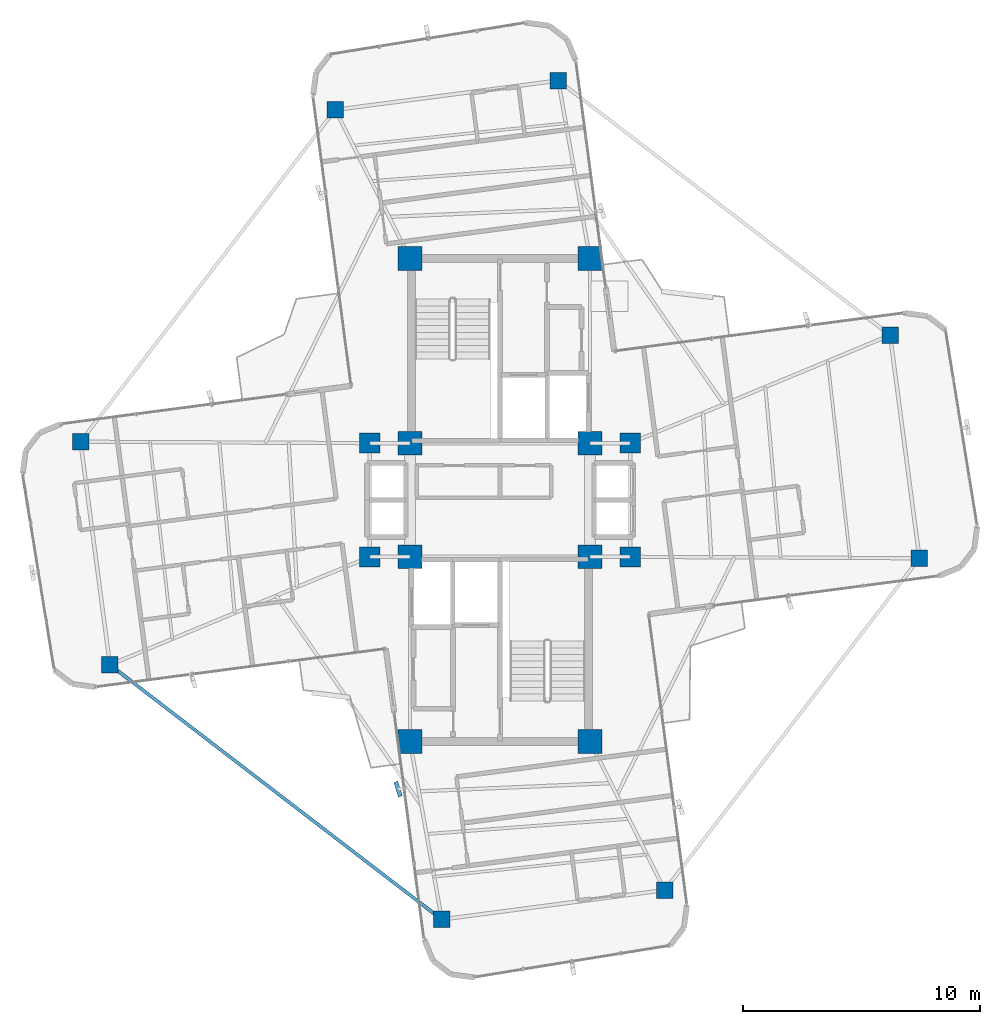
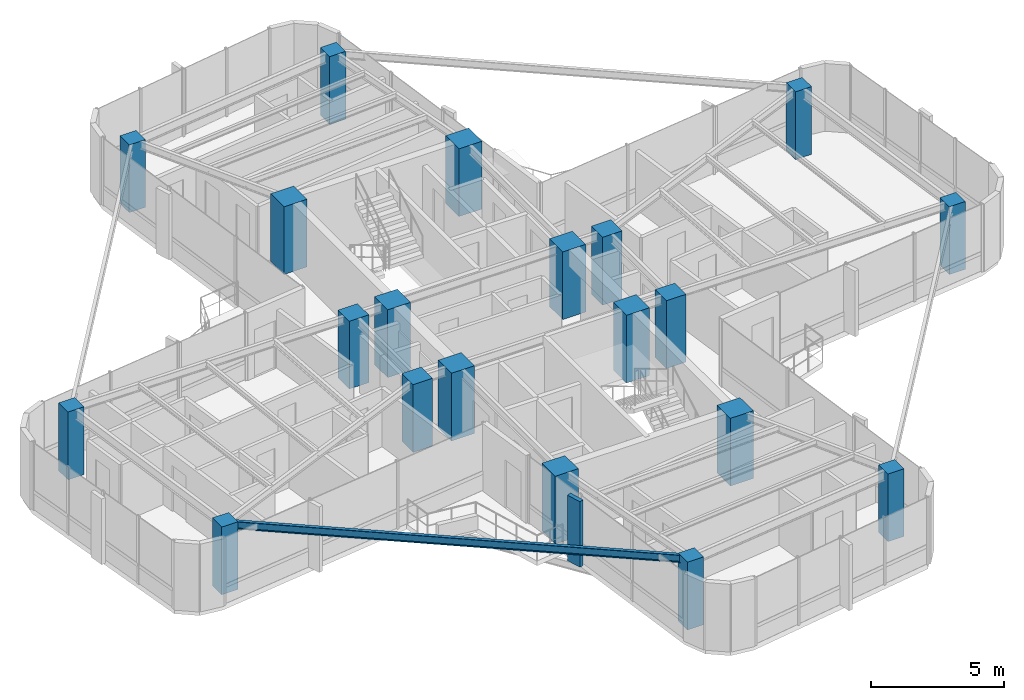
# One storey, part 1 of 22: 20 columns, 1 beam, 1 member, 1 element without a shape of its own.
"""IFC4 building model written with IfcOpenShell, lengths in metres."""

from ifc_helpers import new_model, si_unit, direction, frame, origin, origin_2d, place, context, subcontext, project, spatial, rectangle, i_section, extrude, source, transform, mapped, material, material_profile, profile_set, type_object, element, aggregate, save


model = new_model("IFC4")

# Units and contexts
model_context = context("Model", 3, precision=1e-05, world=origin(), true_north=direction((0.0, 1.0)))
body_context = subcontext(model_context, "Body", "Model", "MODEL_VIEW")
ifc_project = project(units=[si_unit("LENGTHUNIT", "METRE"), si_unit("AREAUNIT", "SQUARE_METRE"), si_unit("VOLUMEUNIT", "CUBIC_METRE"), si_unit("PLANEANGLEUNIT", "RADIAN"), si_unit("MASSUNIT", "GRAM", prefix="KILO")], contexts=[model_context])

# Site, building, storey
site_placement = place(None, origin())
site = spatial("IfcSite", under=ifc_project, at=site_placement, CompositionType="ELEMENT")
building_placement = place(site_placement, origin())
building = spatial("IfcBuilding", under=site, at=building_placement, Name="Sahyath Konkavel Grand Hotel", CompositionType="ELEMENT")
storey_placement = place(building_placement, frame((0.0, 0.0, 257.89990234375)))
storey = spatial("IfcBuildingStorey", under=building, at=storey_placement, Name="L72", CompositionType="ELEMENT", Elevation=257.89990234375)

# Columns
ifc_material_1 = material(Name="Concrete C50/60", Category="concrete")
ifc_material_profile_1 = material_profile(ifc_material_1, rectangle(XDim=1.0, YDim=1.0, at=origin_2d()), Name="RC 1000x1000")
ifc_profile_set_1 = profile_set([ifc_material_profile_1], Name="Concrete C50/60")
column_type_1 = type_object("IfcColumnType", Name="COL-RC1000", PredefinedType="COLUMN", material=ifc_profile_set_1)
shared_shape_1 = source(origin(), body_context, "Body", "SweptSolid", [
    extrude(rectangle(XDim=1.0, YDim=1.0, at=origin_2d()), origin(), (0.0, 0.0, 1.0), 3.110107421875),
])
for number, where, z_axis, x_axis, name in (
    (1, (-3.800048828125, 2.39990234375, 0.0), (0.0, 0.0, 1.0), (1.0, 0.0, 0.0), "L72 Core Boundary Column NC-SW"),
    (2, (3.800048828125, 2.39990234375, 0.0), (0.0, 0.0, 1.0), (1.0, 0.0, 0.0), "L72 Core Boundary Column NC-SE"),
    (3, (-3.800048828125, 10.199951171875, 0.0), (0.0, 0.0, 1.0), (1.0, 0.0, 0.0), "L72 Core Boundary Column NC-NW"),
    (4, (3.800048828125, 10.199951171875, 0.0), (0.0, 0.0, 1.0), (1.0, 0.0, 0.0), "L72 Core Boundary Column NC-NE"),
    (5, (-3.800048828125, -2.39990234375, 0.0), (0.0, 0.0, 1.0), (1.0, 0.0, 0.0), "L72 Core Boundary Column SC-NW"),
    (6, (3.800048828125, -2.39990234375, 0.0), (0.0, 0.0, 1.0), (1.0, 0.0, 0.0), "L72 Core Boundary Column SC-NE"),
    (7, (-3.800048828125, -10.199951171875, 0.0), (0.0, 0.0, 1.0), (1.0, 0.0, 0.0), "L72 Core Boundary Column SC-SW"),
    (8, (3.800048828125, -10.199951171875, 0.0), (0.0, 0.0, 1.0), (1.0, 0.0, 0.0), "L72 Core Boundary Column SC-SE"),
):
    element("IfcColumn", number, at=place(storey_placement, frame(where, z_axis=z_axis, x_axis=x_axis)), inside=storey, type_object=column_type_1, Name=name, PredefinedType="COLUMN", context=body_context, shape_type="MappedRepresentation", body=[
        mapped(shared_shape_1, transform((0.0, 0.0, 0.0), scale=1.0)),
    ])
ifc_material_2 = material(Name="Concrete C40/50", Category="concrete")
ifc_material_profile_2 = material_profile(ifc_material_2, rectangle(XDim=0.85009765625, YDim=0.85009765625, at=origin_2d()), Name="RC 850x850")
ifc_profile_set_2 = profile_set([ifc_material_profile_2], Name="Concrete C40/50")
column_type_2 = type_object("IfcColumnType", Name="COL-RC850", PredefinedType="COLUMN", material=ifc_profile_set_2)
shared_shape_2 = source(origin(), body_context, "Body", "SweptSolid", [
    extrude(rectangle(XDim=0.85009765625, YDim=0.85009765625, at=origin_2d()), origin(), (0.0, 0.0, 1.0), 3.110107421875),
])
for number, where, z_axis, x_axis, name in (
    (9, (5.5, 2.39990234375, 0.0), (0.0, 0.0, 1.0), (1.0, 0.0, 0.0), "L72 Central Spine Column HB-NE"),
    (10, (-5.5, 2.39990234375, 0.0), (0.0, 0.0, 1.0), (1.0, 0.0, 0.0), "L72 Central Spine Column HB-NW"),
    (11, (5.5, -2.39990234375, 0.0), (0.0, 0.0, 1.0), (1.0, 0.0, 0.0), "L72 Central Spine Column HB-SE"),
    (12, (-5.5, -2.39990234375, 0.0), (0.0, 0.0, 1.0), (1.0, 0.0, 0.0), "L72 Central Spine Column HB-SW"),
):
    element("IfcColumn", number, at=place(storey_placement, frame(where, z_axis=z_axis, x_axis=x_axis)), inside=storey, type_object=column_type_2, Name=name, PredefinedType="COLUMN", context=body_context, shape_type="MappedRepresentation", body=[
        mapped(shared_shape_2, transform((0.0, 0.0, 0.0), scale=1.0)),
    ])
ifc_material_profile_3 = material_profile(ifc_material_2, rectangle(XDim=0.699951171875, YDim=0.699951171875, at=origin_2d()), Name="RC 700x700")
ifc_profile_set_3 = profile_set([ifc_material_profile_3], Name="Concrete C40/50")
column_type_3 = type_object("IfcColumnType", Name="COL-RC700", PredefinedType="COLUMN", material=ifc_profile_set_3)
shared_shape_3 = source(origin(), body_context, "Body", "SweptSolid", [
    extrude(rectangle(XDim=0.699951171875, YDim=0.699951171875, at=origin_2d()), origin(), (0.0, 0.0, 1.0), 3.110107421875),
])
for number, where, z_axis, x_axis, name in (
    (13, (17.71240234375, -2.458984375, 0.0), (0.0, 0.0, 1.0), (1.0, 0.0, 0.0), "L72 Cruciform Wing Column WC-EA"),
    (14, (16.472412109375, 6.959716796875, 0.0), (0.0, 0.0, 1.0), (1.0, 0.0, 0.0), "L72 Cruciform Wing Column WC-EB"),
    (15, (2.458984375, 17.71240234375, 0.0), (0.0, 0.0, 1.0), (1.0, 0.0, 0.0), "L72 Cruciform Wing Column WC-NA"),
    (16, (-6.959716796875, 16.472412109375, 0.0), (0.0, 0.0, 1.0), (1.0, 0.0, 0.0), "L72 Cruciform Wing Column WC-NB"),
    (17, (-17.71240234375, 2.458984375, 0.0), (0.0, 0.0, 1.0), (1.0, 0.0, 0.0), "L72 Cruciform Wing Column WC-WA"),
    (18, (-16.472412109375, -6.959716796875, 0.0), (0.0, 0.0, 1.0), (1.0, 0.0, 0.0), "L72 Cruciform Wing Column WC-WB"),
    (19, (-2.458984375, -17.71240234375, 0.0), (0.0, 0.0, 1.0), (1.0, 0.0, 0.0), "L72 Cruciform Wing Column WC-SA"),
    (20, (6.959716796875, -16.472412109375, 0.0), (0.0, 0.0, 1.0), (1.0, 0.0, 0.0), "L72 Cruciform Wing Column WC-SB"),
):
    element("IfcColumn", number, at=place(storey_placement, frame(where, z_axis=z_axis, x_axis=x_axis)), inside=storey, type_object=column_type_3, Name=name, PredefinedType="COLUMN", context=body_context, shape_type="MappedRepresentation", body=[
        mapped(shared_shape_3, transform((0.0, 0.0, 0.0), scale=1.0)),
    ])

# Beam
ifc_material_3 = material(Name="Steel E350", Category="steel")
ifc_material_profile_4 = material_profile(ifc_material_3, i_section(OverallWidth=0.139892578125, OverallDepth=0.35009765625, WebThickness=0.008056640625, FlangeThickness=0.01416015625, FilletRadius=0.013916015625, at=origin_2d()), Name="ISMB 350")
ifc_profile_set_4 = profile_set([ifc_material_profile_4], Name="Steel E350")
beam_type = type_object("IfcBeamType", Name="BM-ISMB350", PredefinedType="BEAM", material=ifc_profile_set_4)
shared_shape_4 = source(origin(), body_context, "Body", "SweptSolid", [
    extrude(i_section(OverallWidth=0.139892578125, OverallDepth=0.35009765625, WebThickness=0.008056640625, FlangeThickness=0.01416015625, FilletRadius=0.013916015625, at=origin_2d()), origin(), (0.0, 0.0, 1.0), 17.663330078125),
])
beam_placement = place(storey_placement, frame((-16.472412109375, -6.959716796875, 2.93505859375), z_axis=(0.793358692504, -0.608754453805, 0.0), x_axis=(0.608754453805, 0.793358692504, 0.0)))
element("IfcBeam", 21, at=beam_placement, inside=storey, type_object=beam_type, Name="L72 Re-Entrant Tie Beam SW", PredefinedType="BEAM", context=body_context, shape_type="MappedRepresentation", body=[
    mapped(shared_shape_4, transform((0.0, 0.0, 0.0), scale=1.0)),
])

# Curtain wall, member
ifc_material_4 = material(Name="Anodised Bronze Aluminium & Low-E Glazing", Category="aluminium")
curtain_wall_type = type_object("IfcCurtainWallType", Name="CW-ZONE4", PredefinedType="NOTDEFINED", material=ifc_material_4)
curtain_wall_placement = place(storey_placement, origin())
curtain_wall = element("IfcCurtainWall", 22, at=curtain_wall_placement, inside=storey, type_object=curtain_wall_type, Name="L72 Unitised Curtain Wall F24", PredefinedType="NOTDEFINED")
ifc_material_5 = material(Name="Warm Buff Sandstone Cladding on Concrete C50/60", Category="masonry")
ifc_material_profile_5 = material_profile(ifc_material_5, rectangle(XDim=0.179931640625, YDim=0.64990234375, at=origin_2d()), Name="FIN 180x650")
ifc_profile_set_5 = profile_set([ifc_material_profile_5], Name="Warm Buff Sandstone Cladding on Concrete C50/60")
member_type = type_object("IfcMemberType", Name="FIN-SANDSTONE-650", PredefinedType="MULLION", material=ifc_profile_set_5)
shared_shape_5 = source(origin(), body_context, "Body", "SweptSolid", [
    extrude(rectangle(XDim=0.179931640625, YDim=0.64990234375, at=origin_2d()), origin(), (0.0, 0.0, 1.0), 3.010009765625),
])
member_placement = place(storey_placement, frame((-4.30322265625, -12.20947265625, 0.050048828125), z_axis=(0.0, 0.0, 1.0), x_axis=(0.954448865814, 0.298374534012, 0.0)))
member = element("IfcMember", 23, at=member_placement, type_object=member_type, Name="L72 Sandstone Vertical Solar Fin FIN F24-1", PredefinedType="MULLION", context=body_context, shape_type="MappedRepresentation", body=[
    mapped(shared_shape_5, transform((0.0, 0.0, 0.0), scale=1.0)),
])
aggregate(curtain_wall, [member])

save(model, "model.ifc")
